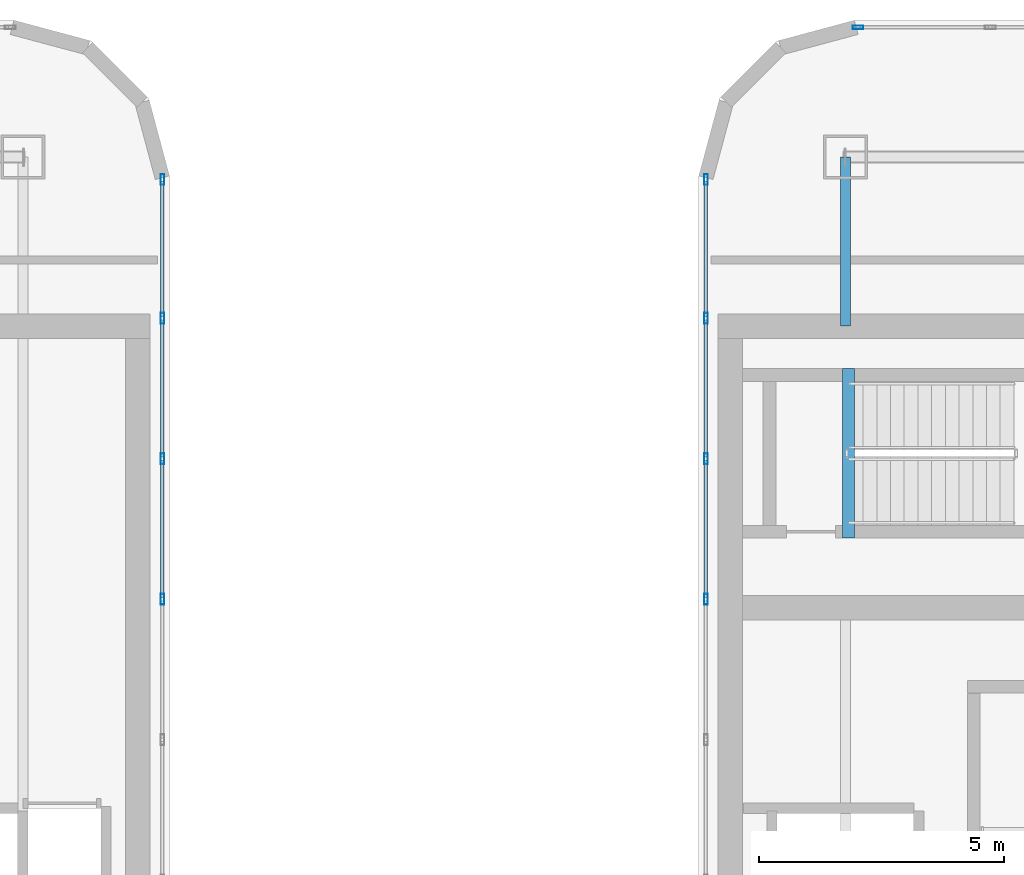
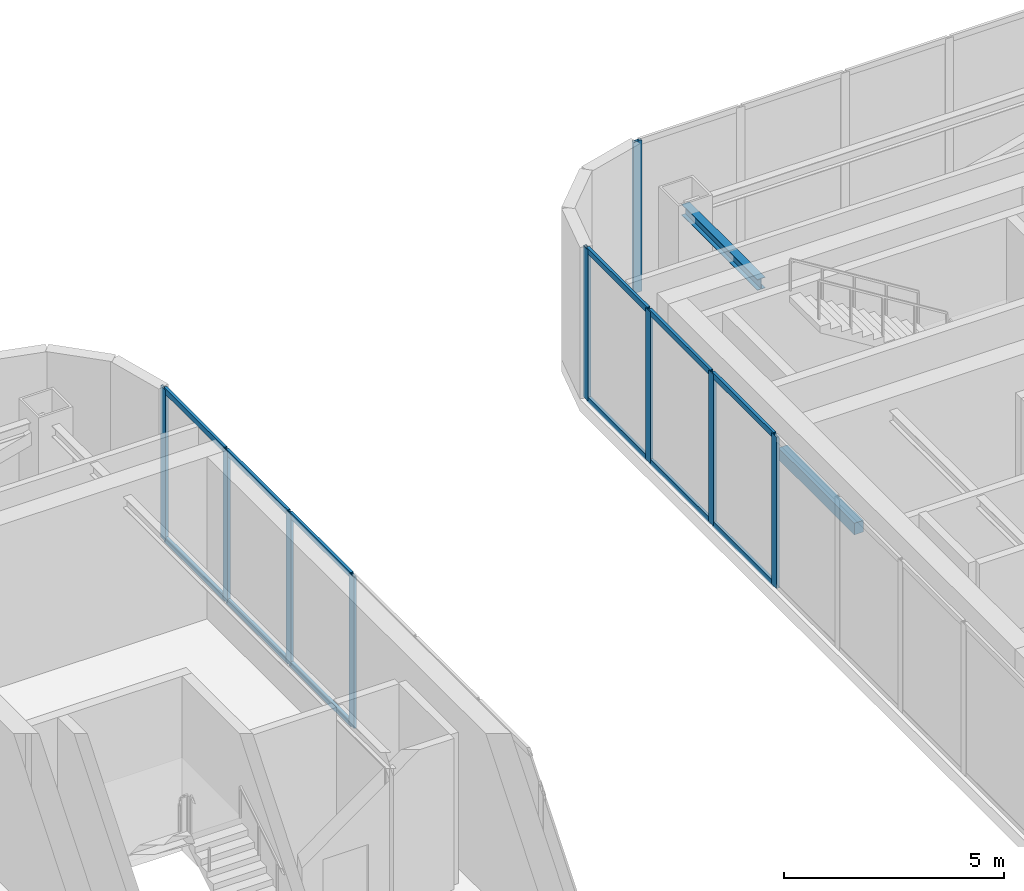
# One storey, part 5 of 14: 21 members, 2 beams, 3 elements without a shape of their own.
"""IFC4 building model written with IfcOpenShell, lengths in metres."""

import ifcopenshell
import ifcopenshell.guid

model = None  # the IFC model being written
_history = None  # IfcOwnerHistory: only IFC2X3 demands one
_inside = {}  # id of a spatial element -> (the spatial element, [elements in it])
_under = {}  # id of a project, library or spatial element -> (it, [spatial elements below it])
_declared = {}  # id of a project -> (the project, [libraries it declares])
_typed = {}  # id of a type object -> (the type object, [elements of that type])
_made_of = {}  # id of a material, layer set ... -> (it, [elements and type objects made of it])


def new_model(schema):
    """Start an empty IFC model of exactly this schema.

    Asked for "IFC4X3", IfcOpenShell would pick the latest addendum, in which some entities
    have other attributes; the version numbers below select the first issue.
    IFC2X3 requires an IfcOwnerHistory on every rooted entity: one is made here for all.
    """
    global model, _history
    if schema == "IFC4X3":
        model = ifcopenshell.file(schema_version=(4, 3, 0, 0))
    else:
        model = ifcopenshell.file(schema=schema)
    _inside.clear()
    _under.clear()
    _declared.clear()
    _typed.clear()
    _made_of.clear()
    _history = None
    if model.schema == "IFC2X3":
        org = make("IfcOrganization", Name="unknown")
        user = make(
            "IfcPersonAndOrganization",
            ThePerson=make("IfcPerson", FamilyName="unknown"),
            TheOrganization=org,
        )
        app = make(
            "IfcApplication",
            ApplicationDeveloper=org,
            Version="unknown",
            ApplicationFullName="unknown",
            ApplicationIdentifier="unknown",
        )
        _history = make(
            "IfcOwnerHistory",
            OwningUser=user,
            OwningApplication=app,
            ChangeAction="ADDED",
            CreationDate=0,
        )
    return model


def make(cls, **values):
    """One entity of the class cls with the attributes given. An attribute that is None is left unset."""
    return model.create_entity(
        cls, **{name: value for name, value in values.items() if value is not None}
    )


def rooted(cls, **values):
    """An entity with a GlobalId (a new one), such as an element, a storey or a relation."""
    return make(cls, GlobalId=ifcopenshell.guid.new(), OwnerHistory=_history, **values)


def si_unit(unit_type, name, prefix=None):
    """IfcSIUnit, for example si_unit("LENGTHUNIT", "METRE", prefix="MILLI")."""
    return make("IfcSIUnit", UnitType=unit_type, Prefix=prefix, Name=name)


def assignment(units):
    """IfcUnitAssignment: the units of a project."""
    return None if units is None else make("IfcUnitAssignment", Units=units)


def point(xyz):
    """IfcCartesianPoint."""
    return None if xyz is None else make("IfcCartesianPoint", Coordinates=xyz)


def direction(xyz):
    """IfcDirection."""
    return None if xyz is None else make("IfcDirection", DirectionRatios=xyz)


def frame(location, z_axis=None, x_axis=None):
    """IfcAxis2Placement3D, a coordinate frame: its origin and axes. An axis left out is left unset."""
    return make(
        "IfcAxis2Placement3D",
        Location=point(location),
        Axis=direction(z_axis),
        RefDirection=direction(x_axis),
    )


def frame_2d(location, x_axis=None):
    """IfcAxis2Placement2D, a coordinate frame in the plane: its origin and x axis."""
    return make(
        "IfcAxis2Placement2D", Location=point(location), RefDirection=direction(x_axis)
    )


def origin():
    """The frame at (0, 0, 0) with its axes left unset."""
    return frame((0.0, 0.0, 0.0))


def origin_2d():
    """The frame at (0, 0) in the plane with its x axis left unset."""
    return frame_2d((0.0, 0.0))


def place(relative_to, where):
    """IfcLocalPlacement: puts the frame where relative to a parent placement (None: the world)."""
    return make(
        "IfcLocalPlacement", PlacementRelTo=relative_to, RelativePlacement=where
    )


def context(
    kind, dimensions, precision=None, world=None, true_north=None, identifier=None
):
    """IfcGeometricRepresentationContext, for example the 3D "Model" context."""
    return make(
        "IfcGeometricRepresentationContext",
        ContextIdentifier=identifier,
        ContextType=kind,
        CoordinateSpaceDimension=dimensions,
        Precision=precision,
        WorldCoordinateSystem=world,
        TrueNorth=true_north,
    )


def subcontext(parent, identifier, kind, view, scale=None):
    """IfcGeometricRepresentationSubContext, for example "Body" below "Model"."""
    return make(
        "IfcGeometricRepresentationSubContext",
        ContextIdentifier=identifier,
        ContextType=kind,
        ParentContext=parent,
        TargetScale=scale,
        TargetView=view,
    )


def project(units=None, contexts=None):
    """IfcProject with its units and contexts."""
    return rooted(
        "IfcProject",
        Name="project",
        RepresentationContexts=contexts,
        UnitsInContext=assignment(units),
    )


def spatial(cls, under=None, at=None, **own):
    """A site, building, storey or space (cls), placed at a placement, below another one or the project."""
    s = rooted(cls, ObjectPlacement=at, **own)
    if under is not None:
        _under.setdefault(under.id(), (under, []))[1].append(s)
    return s


def profile(cls, at=None, kind="AREA", **sizes):
    """A parametric profile (cls). Its sizes go by their IFC names, for example OverallWidth=200.0."""
    return make(cls, ProfileType=kind, Position=at, **sizes)


def rectangle(**sizes):
    """IfcRectangleProfileDef."""
    return profile("IfcRectangleProfileDef", **sizes)


def hollow_rectangle(**sizes):
    """IfcRectangleHollowProfileDef."""
    return profile("IfcRectangleHollowProfileDef", **sizes)


def i_section(**sizes):
    """IfcIShapeProfileDef."""
    return profile("IfcIShapeProfileDef", **sizes)


def extrude(swept, where, along, depth):
    """IfcExtrudedAreaSolid: the profile swept, set in the frame where, extruded along a direction by depth."""
    return make(
        "IfcExtrudedAreaSolid",
        SweptArea=swept,
        Position=where,
        ExtrudedDirection=direction(along),
        Depth=depth,
    )


def shape(context_of_items, identifier, shape_type, items):
    """IfcShapeRepresentation: the items that make up one representation, for example the "Body"."""
    return make(
        "IfcShapeRepresentation",
        ContextOfItems=context_of_items,
        RepresentationIdentifier=identifier,
        RepresentationType=shape_type,
        Items=items,
    )


def material(Name=None, Category=None):
    """IfcMaterial."""
    return make("IfcMaterial", Name=Name, Category=Category)


def layer(
    of_material, thickness, ventilated=None, Name=None, Category=None, Priority=None
):
    """IfcMaterialLayer: one layer of a wall or slab, of a material (None: an air gap)."""
    return make(
        "IfcMaterialLayer",
        Material=of_material,
        LayerThickness=thickness,
        IsVentilated=ventilated,
        Name=Name,
        Category=Category,
        Priority=Priority,
    )


def layer_set(layers, Name=None):
    """IfcMaterialLayerSet."""
    return make("IfcMaterialLayerSet", MaterialLayers=layers, LayerSetName=Name)


def material_profile(
    of_material, cross_section, Name=None, Category=None, Priority=None
):
    """IfcMaterialProfile: a cross section and its material."""
    return make(
        "IfcMaterialProfile",
        Name=Name,
        Material=of_material,
        Profile=cross_section,
        Priority=Priority,
        Category=Category,
    )


def profile_set(profiles, Name=None, composite=None):
    """IfcMaterialProfileSet."""
    return make(
        "IfcMaterialProfileSet",
        Name=Name,
        MaterialProfiles=profiles,
        CompositeProfile=composite,
    )


def made_of(thing, what):
    """Note that an element or type object is made of a material, layer set ...; save() writes the relation."""
    if what is not None:
        _made_of.setdefault(what.id(), (what, []))[1].append(thing)
    return thing


def type_object(cls, material=None, **own):
    """A type object (cls), such as IfcWallType, which elements share."""
    return made_of(rooted(cls, **own), material)


def element(
    cls,
    number,
    at=None,
    inside=None,
    cuts=None,
    type_object=None,
    material=None,
    context=None,
    identifier="Body",
    shape_type=None,
    held_by="IfcProductDefinitionShape",
    body=None,
    shapes=None,
    **own,
):
    """One element of the class cls, such as IfcWall. Its Tag is "e" and its number.

    at: its placement. inside: the storey or other place that contains it. cuts: it is an
    opening in that element (IfcRelVoidsElement). A single representation is given by context,
    identifier, shape_type and body (its items); several are given by shapes. held_by: the class
    of the entity that holds the representations. save() writes the other relations.
    """
    e = rooted(cls, Tag="e%d" % number, ObjectPlacement=at, **own)
    if body is not None:
        shapes = [shape(context, identifier, shape_type, body)]
    if shapes is not None:
        e.Representation = make(held_by, Representations=shapes)
    if inside is not None:
        _inside.setdefault(inside.id(), (inside, []))[1].append(e)
    if cuts is not None:
        rooted(
            "IfcRelVoidsElement", RelatingBuildingElement=cuts, RelatedOpeningElement=e
        )
    if type_object is not None:
        _typed.setdefault(type_object.id(), (type_object, []))[1].append(e)
    return made_of(e, material)


def aggregate(whole, parts):
    """IfcRelAggregates: a whole, such as a stair, and the parts it consists of."""
    return rooted("IfcRelAggregates", RelatingObject=whole, RelatedObjects=parts)


def save(model, path):
    """Write the relations noted so far, then the file.

    IfcRelAggregates (storeys below a building ...), IfcRelContainedInSpatialStructure (elements
    in a storey), IfcRelDefinesByType, IfcRelAssociatesMaterial and IfcRelDeclares: one each for
    every whole, place, type object, material and project.
    """
    for whole, parts in _under.values():
        aggregate(whole, parts)
    for where, things in _inside.values():
        rooted(
            "IfcRelContainedInSpatialStructure",
            RelatedElements=things,
            RelatingStructure=where,
        )
    for kind, things in _typed.values():
        rooted("IfcRelDefinesByType", RelatedObjects=things, RelatingType=kind)
    for what, things in _made_of.values():
        rooted("IfcRelAssociatesMaterial", RelatedObjects=things, RelatingMaterial=what)
    for by, libraries in _declared.values():
        rooted("IfcRelDeclares", RelatingContext=by, RelatedDefinitions=libraries)
    model.write(path)


model = new_model("IFC4")

# Units and contexts
model_context = context("Model", 3, precision=1e-05, world=origin(), true_north=direction((0.0, 1.0)))
body_context = subcontext(model_context, "Body", "Model", "MODEL_VIEW")
ifc_project = project(units=[si_unit("LENGTHUNIT", "METRE"), si_unit("AREAUNIT", "SQUARE_METRE"), si_unit("VOLUMEUNIT", "CUBIC_METRE"), si_unit("PLANEANGLEUNIT", "RADIAN"), si_unit("MASSUNIT", "GRAM", prefix="KILO")], contexts=[model_context])

# Site, building, storey
site_placement = place(None, origin())
site = spatial("IfcSite", under=ifc_project, at=site_placement, CompositionType="ELEMENT")
building_placement = place(site_placement, origin())
building = spatial("IfcBuilding", under=site, at=building_placement, Name="Kiyonajd Concourse Tower", CompositionType="ELEMENT")
storey_placement = place(building_placement, frame((0.0, 0.0, 359.39990234375)))
storey = spatial("IfcBuildingStorey", under=building, at=storey_placement, Name="L90", CompositionType="ELEMENT", Elevation=359.39990234375)

# Beams
ifc_material_1 = material(Name="Steel ASTM A992 Grade 50", Category="steel")
ifc_material_profile_1 = material_profile(ifc_material_1, i_section(OverallWidth=0.2041015625, OverallDepth=0.305908203125, WebThickness=0.008544921875, FlangeThickness=0.0146484375, at=origin_2d()), Name="W310X67")
ifc_profile_set_1 = profile_set([ifc_material_profile_1], Name="Steel ASTM A992 Grade 50")
beam_type_1 = type_object("IfcBeamType", Name="BM-CRN-310", PredefinedType="BEAM", material=ifc_profile_set_1)
beam_1_placement = place(storey_placement, frame((56.39990234375, 44.14990234375, 4.007080078125), z_axis=(0.0, 1.0, 0.0), x_axis=(-1.0, 0.0, 0.0)))
element("IfcBeam", 1, at=beam_1_placement, inside=storey, type_object=beam_type_1, Name="L90 E Crown Ring Beam 4N", PredefinedType="BEAM", context=body_context, shape_type="SweptSolid", body=[
    extrude(i_section(OverallWidth=0.2041015625, OverallDepth=0.305908203125, WebThickness=0.008544921875, FlangeThickness=0.0146484375, at=origin_2d()), origin(), (0.0, 0.0, 1.0), 3.4501953125),
])
ifc_material_2 = material(Name="Concrete C50/60", Category="concrete")
ifc_material_profile_2 = material_profile(ifc_material_2, rectangle(XDim=0.239990234375, YDim=0.320068359375, at=origin_2d()), Name="RCBM-240x320")
ifc_profile_set_2 = profile_set([ifc_material_profile_2], Name="Concrete C50/60")
beam_type_2 = type_object("IfcBeamType", Name="BM-LNT-250", PredefinedType="LINTEL", material=ifc_profile_set_2)
beam_2_placement = place(storey_placement, frame((56.4599609375, 39.820068359375, -0.159912109375), z_axis=(0.0, 1.0, 0.0), x_axis=(-1.0, 0.0, 0.0)))
element("IfcBeam", 2, at=beam_2_placement, inside=storey, type_object=beam_type_2, Name="L90 Stair ST3 Threshold Support Beam", PredefinedType="LINTEL", context=body_context, shape_type="SweptSolid", body=[
    extrude(rectangle(XDim=0.239990234375, YDim=0.320068359375, at=origin_2d()), origin(), (0.0, 0.0, 1.0), 3.4599609375),
])

# Curtain wall, members
ifc_material_3 = material(Name="Thermally Broken Anodised Aluminium", Category="aluminium")
ifc_layer = layer(ifc_material_3, 0.179931640625)
ifc_layer_set = layer_set([ifc_layer], Name="Thermally Broken Anodised Aluminium")
curtain_wall_type = type_object("IfcCurtainWallType", Name="CW-SYS-06", PredefinedType="NOTDEFINED", material=ifc_layer_set)
curtain_wall_1_placement = place(storey_placement, origin())
curtain_wall_1 = element("IfcCurtainWall", 3, at=curtain_wall_1_placement, inside=storey, type_object=curtain_wall_type, Name="L90 Unitised Curtain Wall CW6", PredefinedType="NOTDEFINED")
ifc_material_profile_3 = material_profile(ifc_material_3, hollow_rectangle(XDim=0.074951171875, YDim=0.219970703125, WallThickness=0.0048828125, at=origin_2d()), Name="MULL-75x220")
ifc_profile_set_3 = profile_set([ifc_material_profile_3], Name="Thermally Broken Anodised Aluminium")
member_type_1 = type_object("IfcMemberType", Name="MB-CW-MULL2", PredefinedType="MULLION", material=ifc_profile_set_3)
member_1_placement = place(storey_placement, frame((42.449951171875, 47.142578125, 0.0), z_axis=(0.0, 0.0, 1.0), x_axis=(1.0, 0.0, 0.0)))
member_1 = element("IfcMember", 4, at=member_1_placement, type_object=member_type_1, Name="CW6 mullion 1", PredefinedType="MULLION", context=body_context, shape_type="SweptSolid", body=[
    extrude(hollow_rectangle(XDim=0.074951171875, YDim=0.219970703125, WallThickness=0.0048828125, at=origin_2d()), origin(), (0.0, 0.0, 1.0), 4.2001953125),
])
member_2_placement = place(storey_placement, frame((42.449951171875, 44.31005859375, 0.0), z_axis=(0.0, 0.0, 1.0), x_axis=(1.0, 0.0, 0.0)))
member_2 = element("IfcMember", 5, at=member_2_placement, type_object=member_type_1, Name="CW6 mullion 2", PredefinedType="MULLION", context=body_context, shape_type="SweptSolid", body=[
    extrude(hollow_rectangle(XDim=0.074951171875, YDim=0.219970703125, WallThickness=0.0048828125, at=origin_2d()), origin(), (0.0, 0.0, 1.0), 4.2001953125),
])
member_3_placement = place(storey_placement, frame((42.449951171875, 41.440185546875, 0.0), z_axis=(0.0, 0.0, 1.0), x_axis=(1.0, 0.0, 0.0)))
member_3 = element("IfcMember", 6, at=member_3_placement, type_object=member_type_1, Name="CW6 mullion 3", PredefinedType="MULLION", context=body_context, shape_type="SweptSolid", body=[
    extrude(hollow_rectangle(XDim=0.074951171875, YDim=0.219970703125, WallThickness=0.0048828125, at=origin_2d()), origin(), (0.0, 0.0, 1.0), 4.2001953125),
])
member_4_placement = place(storey_placement, frame((42.449951171875, 38.570068359375, 0.0), z_axis=(0.0, 0.0, 1.0), x_axis=(1.0, 0.0, 0.0)))
member_4 = element("IfcMember", 7, at=member_4_placement, type_object=member_type_1, Name="CW6 mullion 4", PredefinedType="MULLION", context=body_context, shape_type="SweptSolid", body=[
    extrude(hollow_rectangle(XDim=0.074951171875, YDim=0.219970703125, WallThickness=0.0048828125, at=origin_2d()), origin(), (0.0, 0.0, 1.0), 4.2001953125),
])

curtain_wall_2_placement = place(storey_placement, origin())
curtain_wall_2 = element("IfcCurtainWall", 8, at=curtain_wall_2_placement, inside=storey, type_object=curtain_wall_type, Name="L90 Unitised Curtain Wall CW6", PredefinedType="NOTDEFINED")
member_5_placement = place(storey_placement, frame((53.550048828125, 38.570068359375, 0.0), z_axis=(0.0, 0.0, 1.0), x_axis=(-1.0, 0.0, 0.0)))
member_5 = element("IfcMember", 9, at=member_5_placement, type_object=member_type_1, Name="CW6 mullion 6", PredefinedType="MULLION", context=body_context, shape_type="SweptSolid", body=[
    extrude(hollow_rectangle(XDim=0.074951171875, YDim=0.219970703125, WallThickness=0.0048828125, at=origin_2d()), origin(), (0.0, 0.0, 1.0), 4.2001953125),
])
member_6_placement = place(storey_placement, frame((53.550048828125, 41.440185546875, 0.0), z_axis=(0.0, 0.0, 1.0), x_axis=(-1.0, 0.0, 0.0)))
member_6 = element("IfcMember", 10, at=member_6_placement, type_object=member_type_1, Name="CW6 mullion 7", PredefinedType="MULLION", context=body_context, shape_type="SweptSolid", body=[
    extrude(hollow_rectangle(XDim=0.074951171875, YDim=0.219970703125, WallThickness=0.0048828125, at=origin_2d()), origin(), (0.0, 0.0, 1.0), 4.2001953125),
])
member_7_placement = place(storey_placement, frame((53.550048828125, 44.31005859375, 0.0), z_axis=(0.0, 0.0, 1.0), x_axis=(-1.0, 0.0, 0.0)))
member_7 = element("IfcMember", 11, at=member_7_placement, type_object=member_type_1, Name="CW6 mullion 8", PredefinedType="MULLION", context=body_context, shape_type="SweptSolid", body=[
    extrude(hollow_rectangle(XDim=0.074951171875, YDim=0.219970703125, WallThickness=0.0048828125, at=origin_2d()), origin(), (0.0, 0.0, 1.0), 4.2001953125),
])
member_8_placement = place(storey_placement, frame((53.550048828125, 47.142578125, 0.0), z_axis=(0.0, 0.0, 1.0), x_axis=(-1.0, 0.0, 0.0)))
member_8 = element("IfcMember", 12, at=member_8_placement, type_object=member_type_1, Name="CW6 mullion 9", PredefinedType="MULLION", context=body_context, shape_type="SweptSolid", body=[
    extrude(hollow_rectangle(XDim=0.074951171875, YDim=0.219970703125, WallThickness=0.0048828125, at=origin_2d()), origin(), (0.0, 0.0, 1.0), 4.2001953125),
])

# Curtain wall, member
curtain_wall_3_placement = place(storey_placement, origin())
curtain_wall_3 = element("IfcCurtainWall", 13, at=curtain_wall_3_placement, inside=storey, type_object=curtain_wall_type, Name="L90 Unitised Curtain Wall CW6", PredefinedType="NOTDEFINED")
member_9_placement = place(storey_placement, frame((56.6572265625, 50.25, 0.0), z_axis=(0.0, 0.0, 1.0), x_axis=(0.0, 1.0, 0.0)))
member_9 = element("IfcMember", 14, at=member_9_placement, type_object=member_type_1, Name="CW6 mullion 1", PredefinedType="MULLION", context=body_context, shape_type="SweptSolid", body=[
    extrude(hollow_rectangle(XDim=0.074951171875, YDim=0.219970703125, WallThickness=0.0048828125, at=origin_2d()), origin(), (0.0, 0.0, 1.0), 4.2001953125),
])
aggregate(curtain_wall_3, [member_9])

# Member
ifc_material_profile_4 = material_profile(ifc_material_3, hollow_rectangle(XDim=0.074951171875, YDim=0.159912109375, WallThickness=0.0048828125, at=origin_2d()), Name="TRAN-75x160")
ifc_profile_set_4 = profile_set([ifc_material_profile_4], Name="Thermally Broken Anodised Aluminium")
member_type_2 = type_object("IfcMemberType", Name="MB-CW-TRAN2", PredefinedType="USERDEFINED", material=ifc_profile_set_4)
member_10_placement = place(storey_placement, frame((42.449951171875, 47.105224609375, 0.03759765625), z_axis=(0.0, -1.0, 0.0), x_axis=(1.0, 0.0, 0.0)))
member_10 = element("IfcMember", 15, at=member_10_placement, type_object=member_type_2, Name="CW6 transom 1.1", ObjectType="TRANSOM", PredefinedType="USERDEFINED", context=body_context, shape_type="SweptSolid", body=[
    extrude(hollow_rectangle(XDim=0.074951171875, YDim=0.159912109375, WallThickness=0.0048828125, at=origin_2d()), origin(), (0.0, 0.0, 1.0), 2.757568359375),
])

member_11_placement = place(storey_placement, frame((42.449951171875, 47.105224609375, 4.16259765625), z_axis=(0.0, -1.0, 0.0), x_axis=(1.0, 0.0, 0.0)))
member_11 = element("IfcMember", 16, at=member_11_placement, type_object=member_type_2, Name="CW6 transom 1.2", ObjectType="TRANSOM", PredefinedType="USERDEFINED", context=body_context, shape_type="SweptSolid", body=[
    extrude(hollow_rectangle(XDim=0.074951171875, YDim=0.159912109375, WallThickness=0.0048828125, at=origin_2d()), origin(), (0.0, 0.0, 1.0), 2.757568359375),
])

member_12_placement = place(storey_placement, frame((42.449951171875, 44.272705078125, 0.03759765625), z_axis=(0.0, -1.0, 0.0), x_axis=(1.0, 0.0, 0.0)))
member_12 = element("IfcMember", 17, at=member_12_placement, type_object=member_type_2, Name="CW6 transom 2.1", ObjectType="TRANSOM", PredefinedType="USERDEFINED", context=body_context, shape_type="SweptSolid", body=[
    extrude(hollow_rectangle(XDim=0.074951171875, YDim=0.159912109375, WallThickness=0.0048828125, at=origin_2d()), origin(), (0.0, 0.0, 1.0), 2.795166015625),
])

member_13_placement = place(storey_placement, frame((42.449951171875, 44.272705078125, 4.16259765625), z_axis=(0.0, -1.0, 0.0), x_axis=(1.0, 0.0, 0.0)))
member_13 = element("IfcMember", 18, at=member_13_placement, type_object=member_type_2, Name="CW6 transom 2.2", ObjectType="TRANSOM", PredefinedType="USERDEFINED", context=body_context, shape_type="SweptSolid", body=[
    extrude(hollow_rectangle(XDim=0.074951171875, YDim=0.159912109375, WallThickness=0.0048828125, at=origin_2d()), origin(), (0.0, 0.0, 1.0), 2.795166015625),
])

member_14_placement = place(storey_placement, frame((42.449951171875, 41.402587890625, 0.03759765625), z_axis=(0.0, -1.0, 0.0), x_axis=(1.0, 0.0, 0.0)))
member_14 = element("IfcMember", 19, at=member_14_placement, type_object=member_type_2, Name="CW6 transom 3.1", ObjectType="TRANSOM", PredefinedType="USERDEFINED", context=body_context, shape_type="SweptSolid", body=[
    extrude(hollow_rectangle(XDim=0.074951171875, YDim=0.159912109375, WallThickness=0.0048828125, at=origin_2d()), origin(), (0.0, 0.0, 1.0), 2.794921875),
])

member_15_placement = place(storey_placement, frame((42.449951171875, 41.402587890625, 4.16259765625), z_axis=(0.0, -1.0, 0.0), x_axis=(1.0, 0.0, 0.0)))
member_15 = element("IfcMember", 20, at=member_15_placement, type_object=member_type_2, Name="CW6 transom 3.2", ObjectType="TRANSOM", PredefinedType="USERDEFINED", context=body_context, shape_type="SweptSolid", body=[
    extrude(hollow_rectangle(XDim=0.074951171875, YDim=0.159912109375, WallThickness=0.0048828125, at=origin_2d()), origin(), (0.0, 0.0, 1.0), 2.794921875),
])

aggregate(curtain_wall_1, [member_1, member_2, member_3, member_4, member_10, member_11, member_12, member_13, member_14, member_15])

member_16_placement = place(storey_placement, frame((53.550048828125, 38.607666015625, 0.03759765625), z_axis=(0.0, 1.0, 0.0), x_axis=(-1.0, 0.0, 0.0)))
member_16 = element("IfcMember", 21, at=member_16_placement, type_object=member_type_2, Name="CW6 transom 6.1", ObjectType="TRANSOM", PredefinedType="USERDEFINED", context=body_context, shape_type="SweptSolid", body=[
    extrude(hollow_rectangle(XDim=0.074951171875, YDim=0.159912109375, WallThickness=0.0048828125, at=origin_2d()), origin(), (0.0, 0.0, 1.0), 2.794921875),
])

member_17_placement = place(storey_placement, frame((53.550048828125, 38.607666015625, 4.16259765625), z_axis=(0.0, 1.0, 0.0), x_axis=(-1.0, 0.0, 0.0)))
member_17 = element("IfcMember", 22, at=member_17_placement, type_object=member_type_2, Name="CW6 transom 6.2", ObjectType="TRANSOM", PredefinedType="USERDEFINED", context=body_context, shape_type="SweptSolid", body=[
    extrude(hollow_rectangle(XDim=0.074951171875, YDim=0.159912109375, WallThickness=0.0048828125, at=origin_2d()), origin(), (0.0, 0.0, 1.0), 2.794921875),
])

member_18_placement = place(storey_placement, frame((53.550048828125, 41.4775390625, 0.03759765625), z_axis=(0.0, 1.0, 0.0), x_axis=(-1.0, 0.0, 0.0)))
member_18 = element("IfcMember", 23, at=member_18_placement, type_object=member_type_2, Name="CW6 transom 7.1", ObjectType="TRANSOM", PredefinedType="USERDEFINED", context=body_context, shape_type="SweptSolid", body=[
    extrude(hollow_rectangle(XDim=0.074951171875, YDim=0.159912109375, WallThickness=0.0048828125, at=origin_2d()), origin(), (0.0, 0.0, 1.0), 2.795166015625),
])

member_19_placement = place(storey_placement, frame((53.550048828125, 41.4775390625, 4.16259765625), z_axis=(0.0, 1.0, 0.0), x_axis=(-1.0, 0.0, 0.0)))
member_19 = element("IfcMember", 24, at=member_19_placement, type_object=member_type_2, Name="CW6 transom 7.2", ObjectType="TRANSOM", PredefinedType="USERDEFINED", context=body_context, shape_type="SweptSolid", body=[
    extrude(hollow_rectangle(XDim=0.074951171875, YDim=0.159912109375, WallThickness=0.0048828125, at=origin_2d()), origin(), (0.0, 0.0, 1.0), 2.795166015625),
])

member_20_placement = place(storey_placement, frame((53.550048828125, 44.34765625, 0.03759765625), z_axis=(0.0, 1.0, 0.0), x_axis=(-1.0, 0.0, 0.0)))
member_20 = element("IfcMember", 25, at=member_20_placement, type_object=member_type_2, Name="CW6 transom 8.1", ObjectType="TRANSOM", PredefinedType="USERDEFINED", context=body_context, shape_type="SweptSolid", body=[
    extrude(hollow_rectangle(XDim=0.074951171875, YDim=0.159912109375, WallThickness=0.0048828125, at=origin_2d()), origin(), (0.0, 0.0, 1.0), 2.757568359375),
])

member_21_placement = place(storey_placement, frame((53.550048828125, 44.34765625, 4.16259765625), z_axis=(0.0, 1.0, 0.0), x_axis=(-1.0, 0.0, 0.0)))
member_21 = element("IfcMember", 26, at=member_21_placement, type_object=member_type_2, Name="CW6 transom 8.2", ObjectType="TRANSOM", PredefinedType="USERDEFINED", context=body_context, shape_type="SweptSolid", body=[
    extrude(hollow_rectangle(XDim=0.074951171875, YDim=0.159912109375, WallThickness=0.0048828125, at=origin_2d()), origin(), (0.0, 0.0, 1.0), 2.757568359375),
])

aggregate(curtain_wall_2, [member_5, member_6, member_7, member_8, member_16, member_17, member_18, member_19, member_20, member_21])

save(model, "model.ifc")
